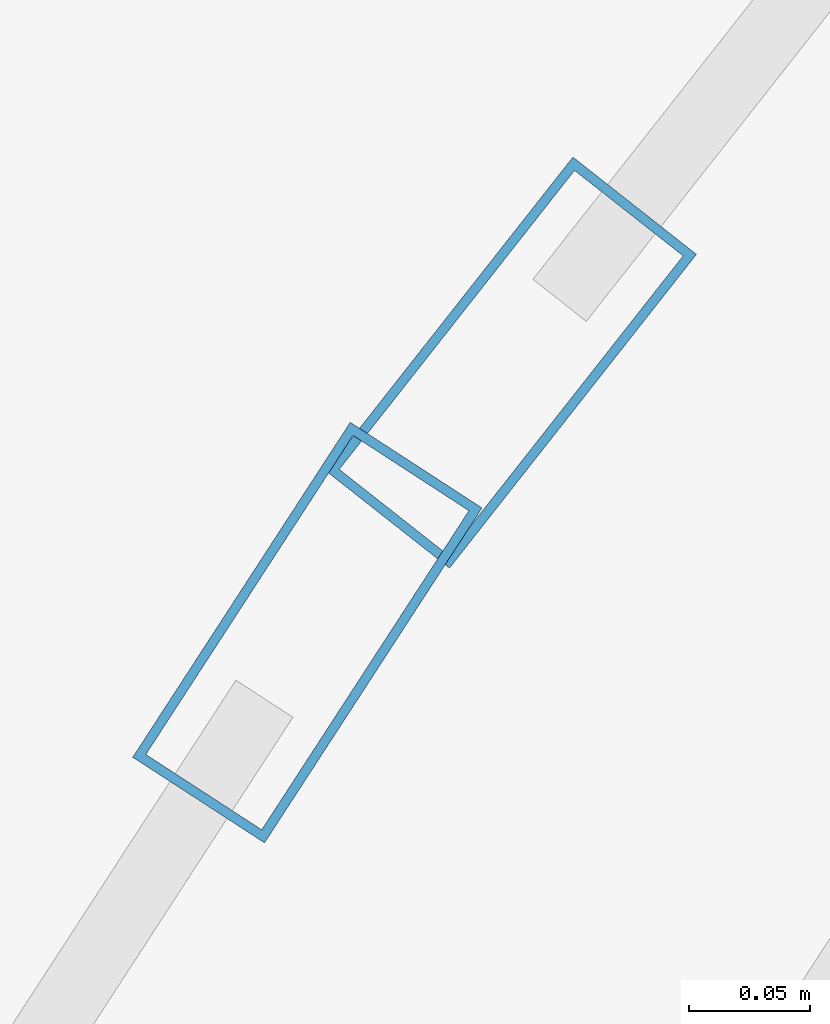
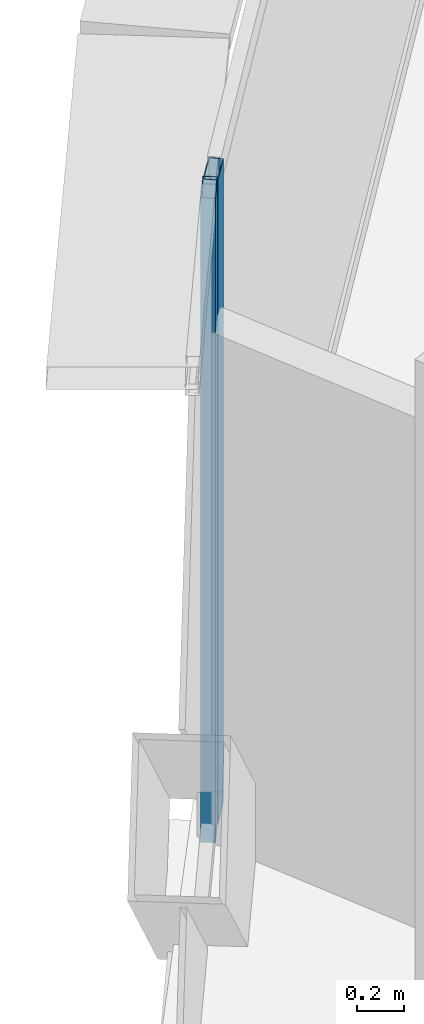
# One storey, part 17 of 38: 2 members, 2 elements without a shape of their own.
"""IFC4 building model written with IfcOpenShell, lengths in metres."""

from ifc_helpers import new_model, si_unit, direction, frame, origin, origin_2d, place, context, subcontext, project, spatial, hollow_rectangle, extrude, source, transform, mapped, material, layer, layer_set, material_profile, profile_set, type_object, element, aggregate, save


model = new_model("IFC4")

# Units and contexts
model_context = context("Model", 3, precision=1e-05, world=origin(), true_north=direction((0.0, 1.0)))
body_context = subcontext(model_context, "Body", "Model", "MODEL_VIEW")
ifc_project = project(units=[si_unit("LENGTHUNIT", "METRE"), si_unit("AREAUNIT", "SQUARE_METRE"), si_unit("VOLUMEUNIT", "CUBIC_METRE"), si_unit("PLANEANGLEUNIT", "RADIAN"), si_unit("MASSUNIT", "GRAM", prefix="KILO"), si_unit("THERMODYNAMICTEMPERATUREUNIT", "KELVIN"), si_unit("POWERUNIT", "WATT")], contexts=[model_context])

# Site, building, storey
site_placement = place(None, origin())
site = spatial("IfcSite", under=ifc_project, at=site_placement, CompositionType="ELEMENT")
building_placement = place(site_placement, origin())
building = spatial("IfcBuilding", under=site, at=building_placement, Name="Yunzhuo Pagoda Commons", CompositionType="ELEMENT")
storey_placement = place(building_placement, frame((0.0, 0.0, 34.030029296875)))
storey = spatial("IfcBuildingStorey", under=building, at=storey_placement, Name="L08", CompositionType="ELEMENT", Elevation=34.030029296875)

# Curtain wall, member
ifc_material = material(Name="Anodized aluminium 6063-T6", Category="aluminium")
ifc_layer = layer(ifc_material, 0.1650390625)
ifc_layer_set = layer_set([ifc_layer], Name="Anodized aluminium 6063-T6")
curtain_wall_type = type_object("IfcCurtainWallType", Name="CW-LOW Low-Zone Ribbon Curtain Wall", PredefinedType="NOTDEFINED", material=ifc_layer_set)
curtain_wall_1_placement = place(storey_placement, origin())
curtain_wall_1 = element("IfcCurtainWall", 1, at=curtain_wall_1_placement, inside=storey, type_object=curtain_wall_type, Name="L08 curtain wall CW-L08-F3B2", PredefinedType="NOTDEFINED")
ifc_material_profile = material_profile(ifc_material, hollow_rectangle(XDim=0.06494140625, YDim=0.1650390625, WallThickness=0.00390625, at=origin_2d()), Name="Anodized aluminium 6063-T6")
ifc_profile_set = profile_set([ifc_material_profile], Name="Anodized aluminium 6063-T6")
member_type = type_object("IfcMemberType", Name="CW-LOW-M Mullion RHS 165x65x4", PredefinedType="MULLION", material=ifc_profile_set)
shared_shape = source(origin(), body_context, "Body", "SweptSolid", [
    extrude(hollow_rectangle(XDim=0.06494140625, YDim=0.1650390625, WallThickness=0.00390625, at=origin_2d()), origin(), (0.0, 0.0, 1.0), 3.369873046875),
])
member_1_placement = place(storey_placement, frame((30.54296875, 72.84228515625, 0.0), z_axis=(0.0, 0.0, 1.0), x_axis=(0.83865240069, -0.544667009114, 0.0)))
member_1 = element("IfcMember", 2, at=member_1_placement, type_object=member_type, Name="CW mullion 1", PredefinedType="MULLION", context=body_context, shape_type="MappedRepresentation", body=[
    mapped(shared_shape, transform((0.0, 0.0, 0.0), scale=1.0)),
])
aggregate(curtain_wall_1, [member_1])

curtain_wall_2_placement = place(storey_placement, origin())
curtain_wall_2 = element("IfcCurtainWall", 3, at=curtain_wall_2_placement, inside=storey, type_object=curtain_wall_type, Name="L08 curtain wall CW-L08-F3B1", PredefinedType="NOTDEFINED")
member_2_placement = place(storey_placement, frame((30.627197265625, 72.953857421875, 0.0), z_axis=(0.0, 0.0, 1.0), x_axis=(0.785799632369, -0.618481153932, 0.0)))
member_2 = element("IfcMember", 4, at=member_2_placement, type_object=member_type, Name="CW mullion 3", PredefinedType="MULLION", context=body_context, shape_type="MappedRepresentation", body=[
    mapped(shared_shape, transform((0.0, 0.0, 0.0), scale=1.0)),
])
aggregate(curtain_wall_2, [member_2])

save(model, "model.ifc")
